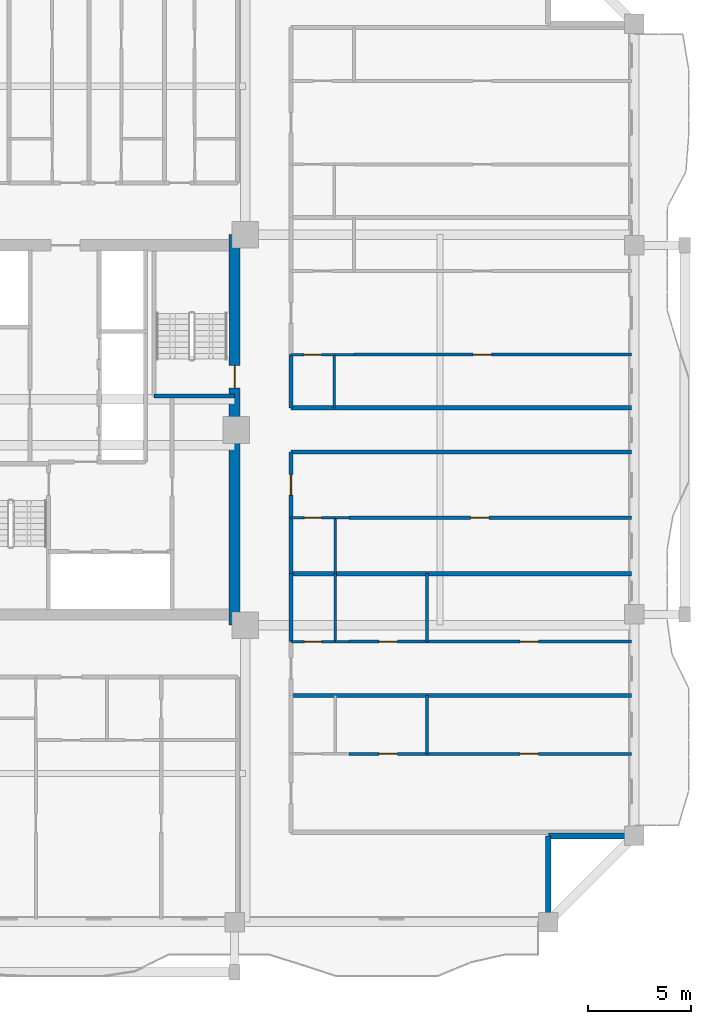
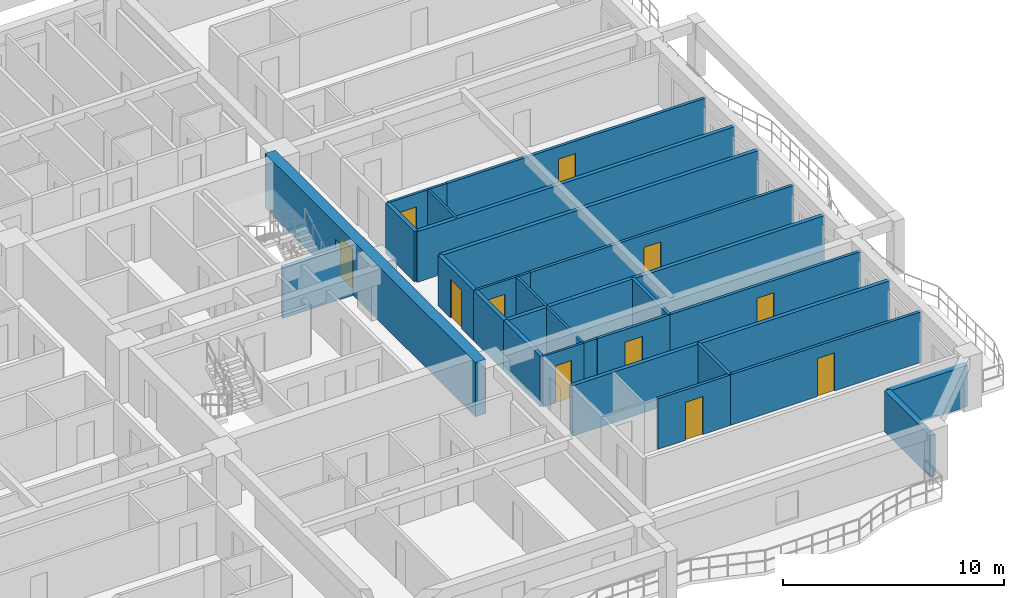
# One storey, part 5 of 14: 29 walls, 11 doors, 11 openings.
"""IFC4 building model written with IfcOpenShell, lengths in metres."""

from ifc_helpers import new_model, si_unit, direction, frame, frame_2d, origin, place, context, subcontext, project, spatial, rectangle, extrude, source, transform, mapped, material, layer, layer_set, type_object, element, fill, save


model = new_model("IFC4")

# Units and contexts
model_context = context("Model", 3, precision=1e-05, world=origin(), true_north=direction((0.0, 1.0)))
body_context = subcontext(model_context, "Body", "Model", "MODEL_VIEW")
ifc_project = project(units=[si_unit("LENGTHUNIT", "METRE"), si_unit("AREAUNIT", "SQUARE_METRE"), si_unit("VOLUMEUNIT", "CUBIC_METRE"), si_unit("PLANEANGLEUNIT", "RADIAN"), si_unit("MASSUNIT", "GRAM", prefix="KILO")], contexts=[model_context])

# Site, building, storey
site_placement = place(None, origin())
site = spatial("IfcSite", under=ifc_project, at=site_placement, CompositionType="ELEMENT")
building_placement = place(site_placement, origin())
building = spatial("IfcBuilding", under=site, at=building_placement, Name="Saelheon Loggia Tower", CompositionType="ELEMENT")
storey_placement = place(building_placement, frame((0.0, 0.0, 113.85009765625)))
storey = spatial("IfcBuildingStorey", under=building, at=storey_placement, Name="L36", CompositionType="ELEMENT", Elevation=113.85009765625)

# Wall, opening, door
ifc_material_1 = material(Name="Concrete C50/60", Category="concrete")
ifc_layer_1 = layer(ifc_material_1, 0.550048828125)
ifc_layer_set_1 = layer_set([ifc_layer_1], Name="Concrete C50/60")
wall_type_1 = type_object("IfcWallType", Name="Wall_CoreShear_550", PredefinedType="SHEAR", material=ifc_layer_set_1)
wall_1_placement = place(storey_placement, frame((44.5, 17.47998046875, 0.0), z_axis=(0.0, 0.0, 1.0), x_axis=(0.0, 1.0, 0.0)))
wall_1 = element("IfcWall", 1, at=wall_1_placement, inside=storey, type_object=wall_type_1, Name="L36 Core Shear Wall East", PredefinedType="SHEAR", context=body_context, shape_type="SweptSolid", body=[
    extrude(rectangle(XDim=19.0400390625, YDim=0.550048828125, at=frame_2d((9.52001953125, 0.0))), origin(), (0.0, 0.0, 1.0), 3.0),
])
opening_1_placement = place(wall_1_placement, frame((12.670166015625, 0.0, 0.0), z_axis=(0.0, 0.0, 1.0), x_axis=(-1.0, 0.0, 0.0)))
opening_1 = element("IfcOpeningElement", 2, at=opening_1_placement, cuts=wall_1, Name="Opening D-FD2", PredefinedType="OPENING", context=body_context, shape_type="SweptSolid", body=[
    extrude(rectangle(XDim=1.10009765625, YDim=2.14990234375, at=frame_2d((0.550048828125, 1.074951171875))), frame((0.0, 0.287109375, 0.0), z_axis=(0.0, -1.0, 0.0), x_axis=(1.0, 0.0, 0.0)), (0.0, 0.0, 1.0), 0.573974609375),
])
ifc_material_2 = material(Name="Galvanised Steel Fire Door", Category="steel")
door_type_1 = type_object("IfcDoorType", Name="Door_Fire_FD60_1100", OperationType="NOTDEFINED", PredefinedType="DOOR", material=ifc_material_2)
shared_shape_1 = source(origin(), body_context, "Body", "SweptSolid", [
    extrude(rectangle(XDim=1.10009765625, YDim=2.14990234375, at=frame_2d((0.550048828125, 1.074951171875))), frame((0.0, 0.02490234375, 0.0), z_axis=(0.0, -1.0, 0.0), x_axis=(1.0, 0.0, 0.0)), (0.0, 0.0, 1.0), 0.050048828125),
])
door_1_placement = place(opening_1_placement, origin())
door_1 = element("IfcDoor", 3, at=door_1_placement, inside=storey, type_object=door_type_1, Name="L36 Stair ST2 Corridor Door", OperationType="SINGLE_SWING_RIGHT", OverallHeight=2.14990234375, OverallWidth=1.10009765625, PredefinedType="DOOR", context=body_context, shape_type="MappedRepresentation", body=[
    mapped(shared_shape_1, transform((0.0, 0.0, 0.0), scale=1.0)),
])
fill(opening_1, door_1)

# Walls
ifc_material_3 = material(Name="Architectural Precast Concrete C40/50", Category="concrete")
ifc_layer_2 = layer(ifc_material_3, 0.280029296875)
ifc_layer_set_2 = layer_set([ifc_layer_2], Name="Architectural Precast Concrete C40/50")
wall_type_2 = type_object("IfcWallType", Name="Wall_Ext_Loggia_280", PredefinedType="SOLIDWALL", material=ifc_layer_set_2)
for number, where, z_axis, x_axis, name in (
    (4, (59.800048828125, 3.080078125, 0.0), (0.0, 0.0, 1.0), (0.0, 1.0, 0.0), "L36 Corner Notch Precast Wall SE1"),
    (5, (59.800048828125, 7.199951171875, 0.0), (0.0, 0.0, 1.0), (1.0, 0.0, 0.0), "L36 Corner Notch Precast Wall SE2"),
):
    element("IfcWall", number, at=place(storey_placement, frame(where, z_axis=z_axis, x_axis=x_axis)), inside=storey, type_object=wall_type_2, Name=name, PredefinedType="SOLIDWALL", context=body_context, shape_type="SweptSolid", body=[
        extrude(rectangle(XDim=4.119873046875, YDim=0.280029296875, at=frame_2d((2.06005859375, 0.0))), origin(), (0.0, 0.0, 1.0), 2.27978515625),
    ])
ifc_material_4 = material(Name="Lightweight Autoclaved Aerated Concrete Block and Acoustic Gypsum", Category="concrete")
ifc_layer_3 = layer(ifc_material_4, 0.14990234375)
ifc_layer_set_3 = layer_set([ifc_layer_3], Name="Lightweight Autoclaved Aerated Concrete Block and Acoustic Gypsum")
wall_type_3 = type_object("IfcWallType", Name="Wall_Part_150", PredefinedType="PARTITIONING", material=ifc_layer_set_3)
wall_2_placement = place(storey_placement, frame((53.889892578125, 11.204345703125, 0.0), z_axis=(0.0, 0.0, 1.0), x_axis=(0.0, 1.0, 0.0)))
element("IfcWall", 6, at=wall_2_placement, inside=storey, type_object=wall_type_3, Name="L36 ES Partition V08", PredefinedType="PARTITIONING", context=body_context, shape_type="SweptSolid", body=[
    extrude(rectangle(XDim=2.85009765625, YDim=0.14990234375, at=frame_2d((1.425048828125, 0.0))), origin(), (0.0, 0.0, 1.0), 2.789794921875),
])

# Wall, opening, door
wall_3_placement = place(storey_placement, frame((50.090087890625, 11.204345703125, 0.0), z_axis=(0.0, 0.0, 1.0), x_axis=(1.0, 0.0, 0.0)))
wall_3 = element("IfcWall", 7, at=wall_3_placement, inside=storey, type_object=wall_type_3, Name="L36 ES Partition U09", PredefinedType="PARTITIONING", context=body_context, shape_type="SweptSolid", body=[
    extrude(rectangle(XDim=3.7998046875, YDim=0.14990234375, at=frame_2d((1.89990234375, 0.0))), origin(), (0.0, 0.0, 1.0), 2.789794921875),
])
opening_2_placement = place(wall_3_placement, frame((1.449951171875, 0.0, 0.0)))
opening_2 = element("IfcOpeningElement", 8, at=opening_2_placement, cuts=wall_3, Name="Opening D-IN2", PredefinedType="OPENING", context=body_context, shape_type="SweptSolid", body=[
    extrude(rectangle(XDim=0.89990234375, YDim=2.10009765625, at=frame_2d((0.449951171875, 1.050048828125))), frame((0.0, 0.0869140625, 0.0), z_axis=(0.0, -1.0, 0.0), x_axis=(1.0, 0.0, 0.0)), (0.0, 0.0, 1.0), 0.173828125),
])
ifc_material_5 = material(Name="Engineered Oak Flush Door", Category="timber")
door_type_2 = type_object("IfcDoorType", Name="Door_Int_900", OperationType="NOTDEFINED", PredefinedType="DOOR", material=ifc_material_5)
shared_shape_2 = source(origin(), body_context, "Body", "SweptSolid", [
    extrude(rectangle(XDim=0.89990234375, YDim=2.10009765625, at=frame_2d((0.449951171875, 1.050048828125))), frame((0.0, 0.02490234375, 0.0), z_axis=(0.0, -1.0, 0.0), x_axis=(1.0, 0.0, 0.0)), (0.0, 0.0, 1.0), 0.050048828125),
])
door_2_placement = place(opening_2_placement, origin())
door_2 = element("IfcDoor", 9, at=door_2_placement, inside=storey, type_object=door_type_2, Name="Unit U10 Kitchen Door", OperationType="SINGLE_SWING_LEFT", OverallHeight=2.10009765625, OverallWidth=0.89990234375, PredefinedType="DOOR", context=body_context, shape_type="MappedRepresentation", body=[
    mapped(shared_shape_2, transform((0.0, 0.0, 0.0), scale=1.0)),
])
fill(opening_2, door_2)

wall_4_placement = place(storey_placement, frame((53.889892578125, 11.204345703125, 0.0), z_axis=(0.0, 0.0, 1.0), x_axis=(1.0, 0.0, 0.0)))
wall_4 = element("IfcWall", 10, at=wall_4_placement, inside=storey, type_object=wall_type_3, Name="L36 ES Partition U10", PredefinedType="PARTITIONING", context=body_context, shape_type="SweptSolid", body=[
    extrude(rectangle(XDim=9.960205078125, YDim=0.14990234375, at=frame_2d((4.97998046875, 0.0))), origin(), (0.0, 0.0, 1.0), 2.789794921875),
])
opening_3_placement = place(wall_4_placement, frame((4.530029296875, 0.0, 0.0)))
opening_3 = element("IfcOpeningElement", 11, at=opening_3_placement, cuts=wall_4, Name="Opening D-IN2", PredefinedType="OPENING", context=body_context, shape_type="SweptSolid", body=[
    extrude(rectangle(XDim=0.89990234375, YDim=2.10009765625, at=frame_2d((0.449951171875, 1.050048828125))), frame((0.0, 0.0869140625, 0.0), z_axis=(0.0, -1.0, 0.0), x_axis=(1.0, 0.0, 0.0)), (0.0, 0.0, 1.0), 0.173828125),
])
door_3_placement = place(opening_3_placement, origin())
door_3 = element("IfcDoor", 12, at=door_3_placement, inside=storey, type_object=door_type_2, Name="Unit U10 Bedroom 1 Door", OperationType="SINGLE_SWING_RIGHT", OverallHeight=2.10009765625, OverallWidth=0.89990234375, PredefinedType="DOOR", context=body_context, shape_type="MappedRepresentation", body=[
    mapped(shared_shape_2, transform((0.0, 0.0, 0.0), scale=1.0)),
])
fill(opening_3, door_3)

# Wall
wall_5_placement = place(storey_placement, frame((53.889892578125, 16.679931640625, 0.0), z_axis=(0.0, 0.0, 1.0), x_axis=(0.0, 1.0, 0.0)))
element("IfcWall", 13, at=wall_5_placement, inside=storey, type_object=wall_type_3, Name="L36 ES Partition V17", PredefinedType="PARTITIONING", context=body_context, shape_type="SweptSolid", body=[
    extrude(rectangle(XDim=3.307373046875, YDim=0.14990234375, at=frame_2d((1.65380859375, 0.0))), origin(), (0.0, 0.0, 1.0), 2.789794921875),
])

# Wall, opening, door
wall_6_placement = place(storey_placement, frame((50.090087890625, 16.679931640625, 0.0), z_axis=(0.0, 0.0, 1.0), x_axis=(1.0, 0.0, 0.0)))
wall_6 = element("IfcWall", 14, at=wall_6_placement, inside=storey, type_object=wall_type_3, Name="L36 ES Partition U18", PredefinedType="PARTITIONING", context=body_context, shape_type="SweptSolid", body=[
    extrude(rectangle(XDim=3.7998046875, YDim=0.14990234375, at=frame_2d((1.89990234375, 0.0))), origin(), (0.0, 0.0, 1.0), 2.789794921875),
])
opening_4_placement = place(wall_6_placement, frame((1.449951171875, 0.0, 0.0)))
opening_4 = element("IfcOpeningElement", 15, at=opening_4_placement, cuts=wall_6, Name="Opening D-IN2", PredefinedType="OPENING", context=body_context, shape_type="SweptSolid", body=[
    extrude(rectangle(XDim=0.89990234375, YDim=2.10009765625, at=frame_2d((0.449951171875, 1.050048828125))), frame((0.0, 0.0869140625, 0.0), z_axis=(0.0, -1.0, 0.0), x_axis=(1.0, 0.0, 0.0)), (0.0, 0.0, 1.0), 0.173828125),
])
door_4_placement = place(opening_4_placement, origin())
door_4 = element("IfcDoor", 16, at=door_4_placement, inside=storey, type_object=door_type_2, Name="Unit U11 Kitchen Door", OperationType="SINGLE_SWING_LEFT", OverallHeight=2.10009765625, OverallWidth=0.89990234375, PredefinedType="DOOR", context=body_context, shape_type="MappedRepresentation", body=[
    mapped(shared_shape_2, transform((0.0, 0.0, 0.0), scale=1.0)),
])
fill(opening_4, door_4)

wall_7_placement = place(storey_placement, frame((53.889892578125, 16.679931640625, 0.0), z_axis=(0.0, 0.0, 1.0), x_axis=(1.0, 0.0, 0.0)))
wall_7 = element("IfcWall", 17, at=wall_7_placement, inside=storey, type_object=wall_type_3, Name="L36 ES Partition U19", PredefinedType="PARTITIONING", context=body_context, shape_type="SweptSolid", body=[
    extrude(rectangle(XDim=9.960205078125, YDim=0.14990234375, at=frame_2d((4.97998046875, 0.0))), origin(), (0.0, 0.0, 1.0), 2.789794921875),
])
opening_5_placement = place(wall_7_placement, frame((4.530029296875, 0.0, 0.0)))
opening_5 = element("IfcOpeningElement", 18, at=opening_5_placement, cuts=wall_7, Name="Opening D-IN2", PredefinedType="OPENING", context=body_context, shape_type="SweptSolid", body=[
    extrude(rectangle(XDim=0.89990234375, YDim=2.10009765625, at=frame_2d((0.449951171875, 1.050048828125))), frame((0.0, 0.0869140625, 0.0), z_axis=(0.0, -1.0, 0.0), x_axis=(1.0, 0.0, 0.0)), (0.0, 0.0, 1.0), 0.173828125),
])
door_5_placement = place(opening_5_placement, origin())
door_5 = element("IfcDoor", 19, at=door_5_placement, inside=storey, type_object=door_type_2, Name="Unit U11 Bedroom 1 Door", OperationType="SINGLE_SWING_RIGHT", OverallHeight=2.10009765625, OverallWidth=0.89990234375, PredefinedType="DOOR", context=body_context, shape_type="MappedRepresentation", body=[
    mapped(shared_shape_2, transform((0.0, 0.0, 0.0), scale=1.0)),
])
fill(opening_5, door_5)

wall_8_placement = place(storey_placement, frame((50.090087890625, 22.71630859375, 0.0), z_axis=(0.0, 0.0, 1.0), x_axis=(1.0, 0.0, 0.0)))
wall_8 = element("IfcWall", 20, at=wall_8_placement, inside=storey, type_object=wall_type_3, Name="L36 ES Partition U26", PredefinedType="PARTITIONING", context=body_context, shape_type="SweptSolid", body=[
    extrude(rectangle(XDim=13.760009765625, YDim=0.14990234375, at=frame_2d((6.8798828125, 0.0))), origin(), (0.0, 0.0, 1.0), 2.789794921875),
])
opening_6_placement = place(wall_8_placement, frame((5.914306640625, 0.0, 0.0)))
opening_6 = element("IfcOpeningElement", 21, at=opening_6_placement, cuts=wall_8, Name="Opening D-IN2", PredefinedType="OPENING", context=body_context, shape_type="SweptSolid", body=[
    extrude(rectangle(XDim=0.89990234375, YDim=2.10009765625, at=frame_2d((0.449951171875, 1.050048828125))), frame((0.0, 0.0869140625, 0.0), z_axis=(0.0, -1.0, 0.0), x_axis=(1.0, 0.0, 0.0)), (0.0, 0.0, 1.0), 0.173828125),
])
door_6_placement = place(opening_6_placement, origin())
door_6 = element("IfcDoor", 22, at=door_6_placement, inside=storey, type_object=door_type_2, Name="Unit U12 Kitchen Door", OperationType="SINGLE_SWING_LEFT", OverallHeight=2.10009765625, OverallWidth=0.89990234375, PredefinedType="DOOR", context=body_context, shape_type="MappedRepresentation", body=[
    mapped(shared_shape_2, transform((0.0, 0.0, 0.0), scale=1.0)),
])
fill(opening_6, door_6)

wall_9_placement = place(storey_placement, frame((50.330078125, 30.675537109375, 0.0), z_axis=(0.0, 0.0, 1.0), x_axis=(1.0, 0.0, 0.0)))
wall_9 = element("IfcWall", 23, at=wall_9_placement, inside=storey, type_object=wall_type_3, Name="L36 EN Partition U10", PredefinedType="PARTITIONING", context=body_context, shape_type="SweptSolid", body=[
    extrude(rectangle(XDim=13.52001953125, YDim=0.14990234375, at=frame_2d((6.760009765625, 0.0))), origin(), (0.0, 0.0, 1.0), 2.789794921875),
])
opening_7_placement = place(wall_9_placement, frame((5.80419921875, 0.0, 0.0)))
opening_7 = element("IfcOpeningElement", 24, at=opening_7_placement, cuts=wall_9, Name="Opening D-IN2", PredefinedType="OPENING", context=body_context, shape_type="SweptSolid", body=[
    extrude(rectangle(XDim=0.89990234375, YDim=2.10009765625, at=frame_2d((0.449951171875, 1.050048828125))), frame((0.0, 0.0869140625, 0.0), z_axis=(0.0, -1.0, 0.0), x_axis=(1.0, 0.0, 0.0)), (0.0, 0.0, 1.0), 0.173828125),
])
door_7_placement = place(opening_7_placement, origin())
door_7 = element("IfcDoor", 25, at=door_7_placement, inside=storey, type_object=door_type_2, Name="Unit U13 Kitchen Door", OperationType="SINGLE_SWING_RIGHT", OverallHeight=2.10009765625, OverallWidth=0.89990234375, PredefinedType="DOOR", context=body_context, shape_type="MappedRepresentation", body=[
    mapped(shared_shape_2, transform((0.0, 0.0, 0.0), scale=1.0)),
])
fill(opening_7, door_7)

# Walls
ifc_material_6 = material(Name="Double Acoustic Stud and Fireboard Partition", Category="gypsum")
ifc_layer_4 = layer(ifc_material_6, 0.199951171875)
ifc_layer_set_4 = layer_set([ifc_layer_4], Name="Double Acoustic Stud and Fireboard Partition")
wall_type_4 = type_object("IfcWallType", Name="Wall_Party_200", PredefinedType="PARTITIONING", material=ifc_layer_set_4)
for number, where, z_axis, x_axis, name in (
    (26, (47.25, 25.919921875, 0.0), (0.0, 0.0, 1.0), (1.0, 0.0, 0.0), "L36 ES Partition U02"),
    (27, (47.25, 14.054443359375, 0.0), (0.0, 0.0, 1.0), (1.0, 0.0, 0.0), "L36 ES Partition U11"),
):
    element("IfcWall", number, at=place(storey_placement, frame(where, z_axis=z_axis, x_axis=x_axis)), inside=storey, type_object=wall_type_4, Name=name, PredefinedType="PARTITIONING", context=body_context, shape_type="SweptSolid", body=[
        extrude(rectangle(XDim=16.60009765625, YDim=0.199951171875, at=frame_2d((8.300048828125, 0.0))), origin(), (0.0, 0.0, 1.0), 2.789794921875),
    ])
wall_10_placement = place(storey_placement, frame((47.25, 16.679931640625, 0.0), z_axis=(0.0, 0.0, 1.0), x_axis=(0.0, 1.0, 0.0)))
element("IfcWall", 28, at=wall_10_placement, inside=storey, type_object=wall_type_4, Name="L36 ES Partition V13", PredefinedType="PARTITIONING", context=body_context, shape_type="SweptSolid", body=[
    extrude(rectangle(XDim=3.307373046875, YDim=0.199951171875, at=frame_2d((1.65380859375, 0.0))), origin(), (0.0, 0.0, 1.0), 2.789794921875),
])
wall_11_placement = place(storey_placement, frame((47.25, 19.9873046875, 0.0), z_axis=(0.0, 0.0, 1.0), x_axis=(1.0, 0.0, 0.0)))
element("IfcWall", 29, at=wall_11_placement, inside=storey, type_object=wall_type_4, Name="L36 ES Partition U20", PredefinedType="PARTITIONING", context=body_context, shape_type="SweptSolid", body=[
    extrude(rectangle(XDim=16.60009765625, YDim=0.199951171875, at=frame_2d((8.300048828125, 0.0))), origin(), (0.0, 0.0, 1.0), 2.789794921875),
])
wall_12_placement = place(storey_placement, frame((47.25, 19.9873046875, 0.0), z_axis=(0.0, 0.0, 1.0), x_axis=(0.0, 1.0, 0.0)))
element("IfcWall", 30, at=wall_12_placement, inside=storey, type_object=wall_type_4, Name="L36 ES Partition V21", PredefinedType="PARTITIONING", context=body_context, shape_type="SweptSolid", body=[
    extrude(rectangle(XDim=2.72900390625, YDim=0.199951171875, at=frame_2d((1.364501953125, 0.0))), origin(), (0.0, 0.0, 1.0), 2.789794921875),
])

# Wall, opening, door
wall_13_placement = place(storey_placement, frame((47.25, 22.71630859375, 0.0), z_axis=(0.0, 0.0, 1.0), x_axis=(0.0, 1.0, 0.0)))
wall_13 = element("IfcWall", 31, at=wall_13_placement, inside=storey, type_object=wall_type_4, Name="L36 ES Partition V22", PredefinedType="PARTITIONING", context=body_context, shape_type="SweptSolid", body=[
    extrude(rectangle(XDim=3.20361328125, YDim=0.199951171875, at=frame_2d((1.601806640625, 0.0))), origin(), (0.0, 0.0, 1.0), 2.789794921875),
])
opening_8_placement = place(wall_13_placement, frame((1.101806640625, 0.0, 0.0)))
opening_8 = element("IfcOpeningElement", 32, at=opening_8_placement, cuts=wall_13, Name="Opening D-FD1", PredefinedType="OPENING", context=body_context, shape_type="SweptSolid", body=[
    extrude(rectangle(XDim=1.0, YDim=2.14990234375, at=frame_2d((0.5, 1.074951171875))), frame((0.0, 0.112060546875, 0.0), z_axis=(0.0, -1.0, 0.0), x_axis=(1.0, 0.0, 0.0)), (0.0, 0.0, 1.0), 0.223876953125),
])
ifc_material_7 = material(Name="Fire-Rated Engineered Timber Entrance Door", Category="wood")
door_type_3 = type_object("IfcDoorType", Name="Door_Flat_FD30S", OperationType="NOTDEFINED", PredefinedType="DOOR", material=ifc_material_7)
shared_shape_3 = source(origin(), body_context, "Body", "SweptSolid", [
    extrude(rectangle(XDim=1.0, YDim=2.14990234375, at=frame_2d((0.5, 1.074951171875))), frame((0.0, 0.02490234375, 0.0), z_axis=(0.0, -1.0, 0.0), x_axis=(1.0, 0.0, 0.0)), (0.0, 0.0, 1.0), 0.050048828125),
])
door_8_placement = place(opening_8_placement, origin())
door_8 = element("IfcDoor", 33, at=door_8_placement, inside=storey, type_object=door_type_3, Name="Unit U12 Entrance Door", OperationType="SINGLE_SWING_LEFT", OverallHeight=2.14990234375, OverallWidth=1.0, PredefinedType="DOOR", context=body_context, shape_type="MappedRepresentation", body=[
    mapped(shared_shape_3, transform((0.0, 0.0, 0.0), scale=1.0)),
])
fill(opening_8, door_8)

# Walls
wall_14_placement = place(storey_placement, frame((47.25, 28.080078125, 0.0), z_axis=(0.0, 0.0, 1.0), x_axis=(1.0, 0.0, 0.0)))
element("IfcWall", 34, at=wall_14_placement, inside=storey, type_object=wall_type_4, Name="L36 EN Partition U01", PredefinedType="PARTITIONING", context=body_context, shape_type="SweptSolid", body=[
    extrude(rectangle(XDim=16.60009765625, YDim=0.199951171875, at=frame_2d((8.300048828125, 0.0))), origin(), (0.0, 0.0, 1.0), 2.789794921875),
])
wall_15_placement = place(storey_placement, frame((47.25, 28.080078125, 0.0), z_axis=(0.0, 0.0, 1.0), x_axis=(0.0, 1.0, 0.0)))
element("IfcWall", 35, at=wall_15_placement, inside=storey, type_object=wall_type_4, Name="L36 EN Partition V03", PredefinedType="PARTITIONING", context=body_context, shape_type="SweptSolid", body=[
    extrude(rectangle(XDim=2.595458984375, YDim=0.199951171875, at=frame_2d((1.2978515625, 0.0))), origin(), (0.0, 0.0, 1.0), 2.789794921875),
])
ifc_material_8 = material(Name="Concrete C45/55", Category="concrete")
ifc_layer_5 = layer(ifc_material_8, 0.199951171875)
ifc_layer_set_5 = layer_set([ifc_layer_5], Name="Concrete C45/55")
wall_type_5 = type_object("IfcWallType", Name="Wall_StairShaft_RC200", PredefinedType="SOLIDWALL", material=ifc_layer_set_5)
wall_16_placement = place(storey_placement, frame((40.570068359375, 28.64990234375, 0.0), z_axis=(0.0, 0.0, 1.0), x_axis=(1.0, 0.0, 0.0)))
element("IfcWall", 36, at=wall_16_placement, inside=storey, type_object=wall_type_5, Name="L36 Stair ST2 South Wall", PredefinedType="SOLIDWALL", context=body_context, shape_type="SweptSolid", body=[
    extrude(rectangle(XDim=3.929931640625, YDim=0.199951171875, at=frame_2d((1.96484375, 0.0))), origin(), (0.0, 0.0, 1.0), 2.789794921875),
])

# Wall, opening, door
ifc_material_9 = material(Name="Moisture-Resistant Cement Board Partition", Category="gypsum")
ifc_layer_6 = layer(ifc_material_9, 0.1201171875)
ifc_layer_set_6 = layer_set([ifc_layer_6], Name="Moisture-Resistant Cement Board Partition")
wall_type_6 = type_object("IfcWallType", Name="Wall_WetPart_120", PredefinedType="PARTITIONING", material=ifc_layer_set_6)
wall_17_placement = place(storey_placement, frame((47.25, 16.679931640625, 0.0), z_axis=(0.0, 0.0, 1.0), x_axis=(1.0, 0.0, 0.0)))
wall_17 = element("IfcWall", 37, at=wall_17_placement, inside=storey, type_object=wall_type_6, Name="L36 ES Partition U14", PredefinedType="PARTITIONING", context=body_context, shape_type="SweptSolid", body=[
    extrude(rectangle(XDim=2.14990234375, YDim=0.1201171875, at=frame_2d((1.074951171875, 0.0))), origin(), (0.0, 0.0, 1.0), 2.789794921875),
])
opening_9_placement = place(wall_17_placement, frame((0.64990234375, 0.0, 0.0)))
opening_9 = element("IfcOpeningElement", 38, at=opening_9_placement, cuts=wall_17, Name="Opening D-BT1", PredefinedType="OPENING", context=body_context, shape_type="SweptSolid", body=[
    extrude(rectangle(XDim=0.85009765625, YDim=2.050048828125, at=frame_2d((0.425048828125, 1.02490234375))), frame((0.0, 0.072021484375, 0.0), z_axis=(0.0, -1.0, 0.0), x_axis=(1.0, 0.0, 0.0)), (0.0, 0.0, 1.0), 0.14404296875),
])
ifc_material_10 = material(Name="Moisture-Resistant Laminate Timber Door", Category="wood")
door_type_4 = type_object("IfcDoorType", Name="Door_Bath_850", OperationType="NOTDEFINED", PredefinedType="DOOR", material=ifc_material_10)
shared_shape_4 = source(origin(), body_context, "Body", "SweptSolid", [
    extrude(rectangle(XDim=0.85009765625, YDim=2.050048828125, at=frame_2d((0.425048828125, 1.02490234375))), frame((0.0, 0.02490234375, 0.0), z_axis=(0.0, -1.0, 0.0), x_axis=(1.0, 0.0, 0.0)), (0.0, 0.0, 1.0), 0.050048828125),
])
door_9_placement = place(opening_9_placement, origin())
door_9 = element("IfcDoor", 39, at=door_9_placement, inside=storey, type_object=door_type_4, Name="Unit U11 Bathroom Door", OperationType="SINGLE_SWING_RIGHT", OverallHeight=2.050048828125, OverallWidth=0.85009765625, PredefinedType="DOOR", context=body_context, shape_type="MappedRepresentation", body=[
    mapped(shared_shape_4, transform((0.0, 0.0, 0.0), scale=1.0)),
])
fill(opening_9, door_9)

# Walls
wall_18_placement = place(storey_placement, frame((49.39990234375, 16.679931640625, 0.0), z_axis=(0.0, 0.0, 1.0), x_axis=(1.0, 0.0, 0.0)))
element("IfcWall", 40, at=wall_18_placement, inside=storey, type_object=wall_type_6, Name="L36 ES Partition U15", PredefinedType="PARTITIONING", context=body_context, shape_type="SweptSolid", body=[
    extrude(rectangle(XDim=0.690185546875, YDim=0.1201171875, at=frame_2d((0.34521484375, 0.0))), origin(), (0.0, 0.0, 1.0), 2.789794921875),
])
wall_19_placement = place(storey_placement, frame((49.39990234375, 16.679931640625, 0.0), z_axis=(0.0, 0.0, 1.0), x_axis=(0.0, 1.0, 0.0)))
element("IfcWall", 41, at=wall_19_placement, inside=storey, type_object=wall_type_6, Name="L36 ES Partition V16", PredefinedType="PARTITIONING", context=body_context, shape_type="SweptSolid", body=[
    extrude(rectangle(XDim=3.307373046875, YDim=0.1201171875, at=frame_2d((1.65380859375, 0.0))), origin(), (0.0, 0.0, 1.0), 2.789794921875),
])

# Wall, opening, door
wall_20_placement = place(storey_placement, frame((47.25, 22.71630859375, 0.0), z_axis=(0.0, 0.0, 1.0), x_axis=(1.0, 0.0, 0.0)))
wall_20 = element("IfcWall", 42, at=wall_20_placement, inside=storey, type_object=wall_type_6, Name="L36 ES Partition U23", PredefinedType="PARTITIONING", context=body_context, shape_type="SweptSolid", body=[
    extrude(rectangle(XDim=2.14990234375, YDim=0.1201171875, at=frame_2d((1.074951171875, 0.0))), origin(), (0.0, 0.0, 1.0), 2.789794921875),
])
opening_10_placement = place(wall_20_placement, frame((0.64990234375, 0.0, 0.0)))
opening_10 = element("IfcOpeningElement", 43, at=opening_10_placement, cuts=wall_20, Name="Opening D-BT1", PredefinedType="OPENING", context=body_context, shape_type="SweptSolid", body=[
    extrude(rectangle(XDim=0.85009765625, YDim=2.050048828125, at=frame_2d((0.425048828125, 1.02490234375))), frame((0.0, 0.072021484375, 0.0), z_axis=(0.0, -1.0, 0.0), x_axis=(1.0, 0.0, 0.0)), (0.0, 0.0, 1.0), 0.14404296875),
])
door_10_placement = place(opening_10_placement, origin())
door_10 = element("IfcDoor", 44, at=door_10_placement, inside=storey, type_object=door_type_4, Name="Unit U12 Bathroom Door", OperationType="SINGLE_SWING_RIGHT", OverallHeight=2.050048828125, OverallWidth=0.85009765625, PredefinedType="DOOR", context=body_context, shape_type="MappedRepresentation", body=[
    mapped(shared_shape_4, transform((0.0, 0.0, 0.0), scale=1.0)),
])
fill(opening_10, door_10)

# Walls
wall_21_placement = place(storey_placement, frame((49.39990234375, 22.71630859375, 0.0), z_axis=(0.0, 0.0, 1.0), x_axis=(1.0, 0.0, 0.0)))
element("IfcWall", 45, at=wall_21_placement, inside=storey, type_object=wall_type_6, Name="L36 ES Partition U24", PredefinedType="PARTITIONING", context=body_context, shape_type="SweptSolid", body=[
    extrude(rectangle(XDim=0.690185546875, YDim=0.1201171875, at=frame_2d((0.34521484375, 0.0))), origin(), (0.0, 0.0, 1.0), 2.789794921875),
])
wall_22_placement = place(storey_placement, frame((49.39990234375, 19.9873046875, 0.0), z_axis=(0.0, 0.0, 1.0), x_axis=(0.0, 1.0, 0.0)))
element("IfcWall", 46, at=wall_22_placement, inside=storey, type_object=wall_type_6, Name="L36 ES Partition V25", PredefinedType="PARTITIONING", context=body_context, shape_type="SweptSolid", body=[
    extrude(rectangle(XDim=2.72900390625, YDim=0.1201171875, at=frame_2d((1.364501953125, 0.0))), origin(), (0.0, 0.0, 1.0), 2.789794921875),
])
wall_23_placement = place(storey_placement, frame((49.3701171875, 28.080078125, 0.0), z_axis=(0.0, 0.0, 1.0), x_axis=(0.0, 1.0, 0.0)))
element("IfcWall", 47, at=wall_23_placement, inside=storey, type_object=wall_type_6, Name="L36 EN Partition V06", PredefinedType="PARTITIONING", context=body_context, shape_type="SweptSolid", body=[
    extrude(rectangle(XDim=2.595458984375, YDim=0.1201171875, at=frame_2d((1.2978515625, 0.0))), origin(), (0.0, 0.0, 1.0), 2.789794921875),
])

# Wall, opening, door
wall_24_placement = place(storey_placement, frame((47.25, 30.675537109375, 0.0), z_axis=(0.0, 0.0, 1.0), x_axis=(1.0, 0.0, 0.0)))
wall_24 = element("IfcWall", 48, at=wall_24_placement, inside=storey, type_object=wall_type_6, Name="L36 EN Partition U08", PredefinedType="PARTITIONING", context=body_context, shape_type="SweptSolid", body=[
    extrude(rectangle(XDim=2.1201171875, YDim=0.1201171875, at=frame_2d((1.06005859375, 0.0))), origin(), (0.0, 0.0, 1.0), 2.789794921875),
])
opening_11_placement = place(wall_24_placement, frame((0.635009765625, 0.0, 0.0)))
opening_11 = element("IfcOpeningElement", 49, at=opening_11_placement, cuts=wall_24, Name="Opening D-BT1", PredefinedType="OPENING", context=body_context, shape_type="SweptSolid", body=[
    extrude(rectangle(XDim=0.85009765625, YDim=2.050048828125, at=frame_2d((0.425048828125, 1.02490234375))), frame((0.0, 0.072021484375, 0.0), z_axis=(0.0, -1.0, 0.0), x_axis=(1.0, 0.0, 0.0)), (0.0, 0.0, 1.0), 0.14404296875),
])
door_11_placement = place(opening_11_placement, origin())
door_11 = element("IfcDoor", 50, at=door_11_placement, inside=storey, type_object=door_type_4, Name="Unit U13 Bathroom Door", OperationType="SINGLE_SWING_LEFT", OverallHeight=2.050048828125, OverallWidth=0.85009765625, PredefinedType="DOOR", context=body_context, shape_type="MappedRepresentation", body=[
    mapped(shared_shape_4, transform((0.0, 0.0, 0.0), scale=1.0)),
])
fill(opening_11, door_11)

# Wall
wall_25_placement = place(storey_placement, frame((49.3701171875, 30.675537109375, 0.0), z_axis=(0.0, 0.0, 1.0), x_axis=(1.0, 0.0, 0.0)))
element("IfcWall", 51, at=wall_25_placement, inside=storey, type_object=wall_type_6, Name="L36 EN Partition U09", PredefinedType="PARTITIONING", context=body_context, shape_type="SweptSolid", body=[
    extrude(rectangle(XDim=0.9599609375, YDim=0.1201171875, at=frame_2d((0.47998046875, 0.0))), origin(), (0.0, 0.0, 1.0), 2.789794921875),
])

save(model, "model.ifc")
